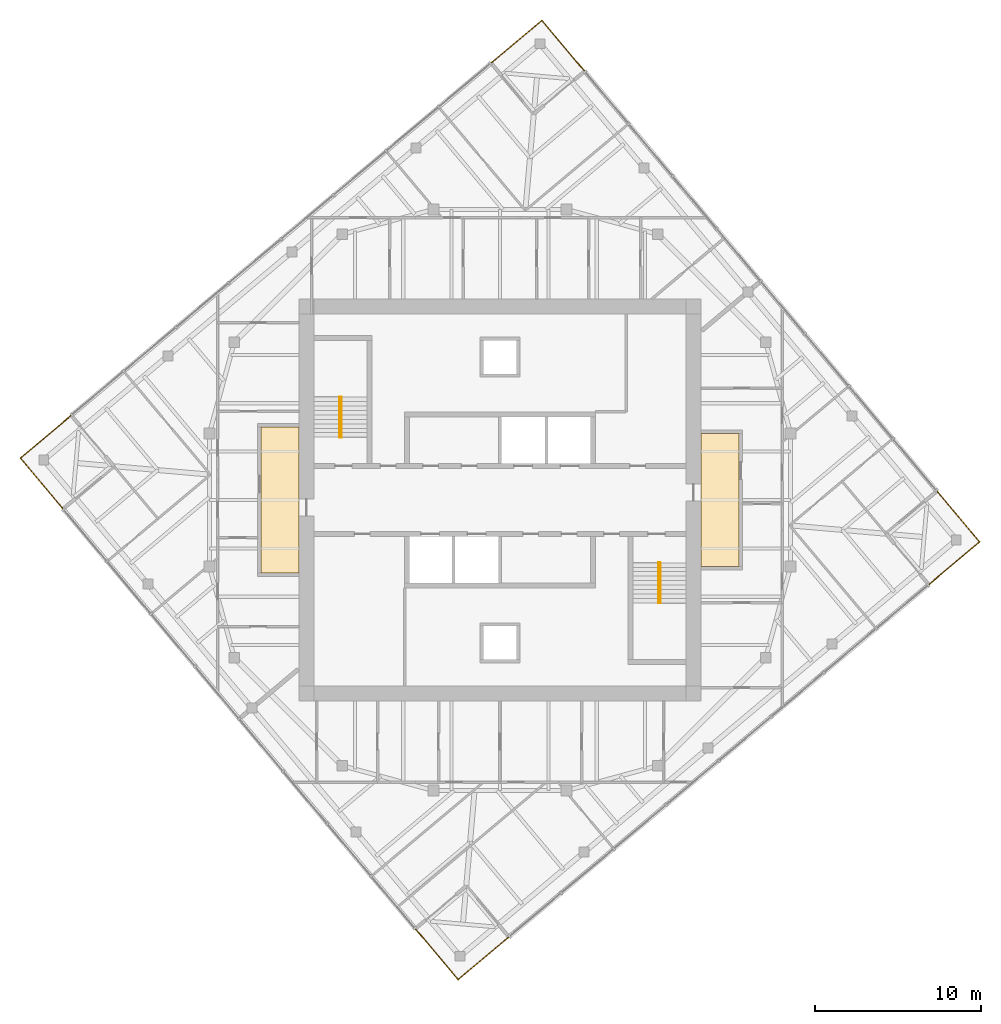
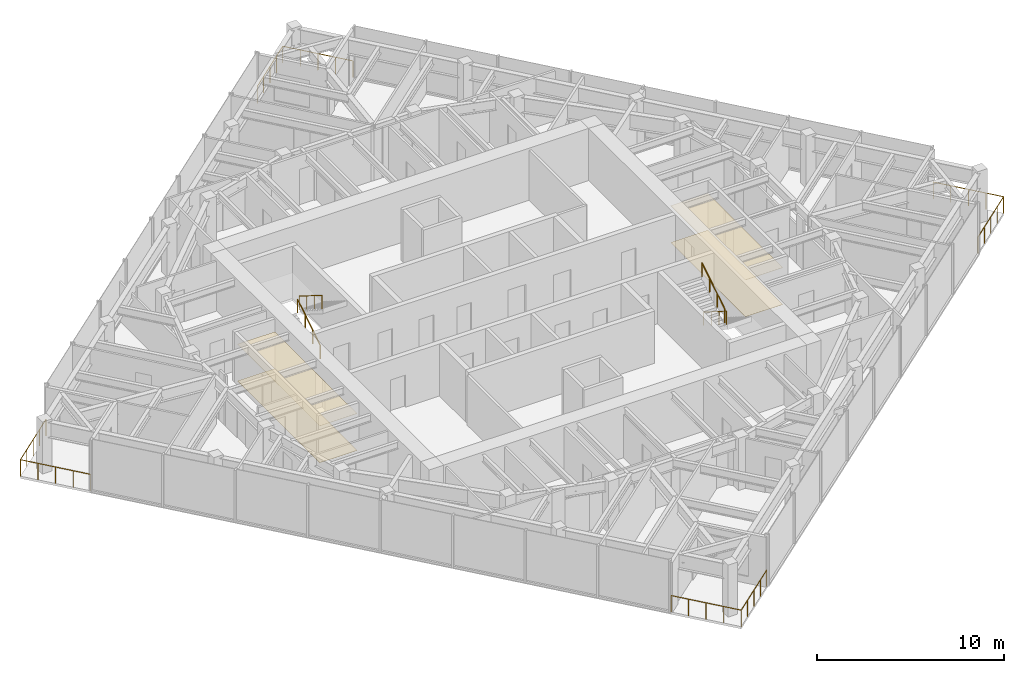
# One storey, part 11 of 11: 8 railings, 4 coverings, 2 elements without a shape of their own.
"""IFC4 building model written with IfcOpenShell, lengths in metres."""

from ifc_helpers import new_model, si_unit, direction, frame, origin, origin_2d, place, context, subcontext, project, spatial, polyline, circle, outline, extrude, material, layer, layer_set, type_object, element, aggregate, save


model = new_model("IFC4")

# Units and contexts
model_context = context("Model", 3, precision=1e-05, world=origin(), true_north=direction((0.0, 1.0)))
body_context = subcontext(model_context, "Body", "Model", "MODEL_VIEW")
ifc_project = project(units=[si_unit("LENGTHUNIT", "METRE"), si_unit("AREAUNIT", "SQUARE_METRE"), si_unit("VOLUMEUNIT", "CUBIC_METRE"), si_unit("PLANEANGLEUNIT", "RADIAN"), si_unit("MASSUNIT", "GRAM", prefix="KILO")], contexts=[model_context])

# Site, building, storey
site_placement = place(None, origin())
site = spatial("IfcSite", under=ifc_project, at=site_placement, CompositionType="ELEMENT")
building_placement = place(site_placement, origin())
building = spatial("IfcBuilding", under=site, at=building_placement, Name="Torsade Residences", CompositionType="ELEMENT")
storey_placement = place(building_placement, frame((0.0, 0.0, 272.60009765625)))
storey = spatial("IfcBuildingStorey", under=building, at=storey_placement, Name="L75", CompositionType="ELEMENT", Elevation=272.60009765625)

# Coverings
ifc_material_1 = material(Name="Nylon carpet tile on underlay", Category="textile")
ifc_layer_1 = layer(ifc_material_1, 0.010009765625)
ifc_layer_set_1 = layer_set([ifc_layer_1], Name="Nylon carpet tile on underlay")
covering_type_1 = type_object("IfcCoveringType", Name="CORRIDOR CARPET TILE 10", PredefinedType="FLOORING", material=ifc_layer_set_1)
covering_1_placement = place(storey_placement, origin())
element("IfcCovering", 1, at=covering_1_placement, inside=storey, type_object=covering_type_1, Name="Corridor carpet L75", PredefinedType="FLOORING", context=body_context, shape_type="SweptSolid", body=[
    extrude(outline(polyline([(54.39990234375, 26.0), (54.39990234375, 34.0), (52.10009765625, 34.0), (52.10009765625, 26.0), (54.39990234375, 26.0)])), origin(), (0.0, 0.0, 1.0), 0.010009765625),
])
covering_2_placement = place(storey_placement, origin())
element("IfcCovering", 2, at=covering_2_placement, inside=storey, type_object=covering_type_1, Name="Corridor carpet west L75", PredefinedType="FLOORING", context=body_context, shape_type="SweptSolid", body=[
    extrude(outline(polyline([(27.89990234375, 25.60009765625), (27.89990234375, 34.39990234375), (25.60009765625, 34.39990234375), (25.60009765625, 25.60009765625), (27.89990234375, 25.60009765625)])), origin(), (0.0, 0.0, 1.0), 0.010009765625),
])
ifc_material_2 = material(Name="Plasterboard on suspended steel grid", Category="steel")
ifc_layer_2 = layer(ifc_material_2, 0.012939453125)
ifc_layer_set_2 = layer_set([ifc_layer_2], Name="Plasterboard on suspended steel grid")
covering_type_2 = type_object("IfcCoveringType", Name="CORRIDOR SUSPENDED CEILING 13", PredefinedType="CEILING", material=ifc_layer_set_2)
covering_3_placement = place(storey_placement, frame((0.0, 0.0, 2.39990234375)))
element("IfcCovering", 3, at=covering_3_placement, inside=storey, type_object=covering_type_2, Name="Corridor ceiling L75", PredefinedType="CEILING", context=body_context, shape_type="SweptSolid", body=[
    extrude(outline(polyline([(54.39990234375, 26.0), (54.39990234375, 34.0), (52.10009765625, 34.0), (52.10009765625, 26.0), (54.39990234375, 26.0)])), origin(), (0.0, 0.0, 1.0), 0.012939453125),
])
covering_4_placement = place(storey_placement, frame((0.0, 0.0, 2.39990234375)))
element("IfcCovering", 4, at=covering_4_placement, inside=storey, type_object=covering_type_2, Name="Corridor ceiling west L75", PredefinedType="CEILING", context=body_context, shape_type="SweptSolid", body=[
    extrude(outline(polyline([(27.89990234375, 25.60009765625), (27.89990234375, 34.39990234375), (25.60009765625, 34.39990234375), (25.60009765625, 25.60009765625), (27.89990234375, 25.60009765625)])), origin(), (0.0, 0.0, 1.0), 0.012939453125),
])

# Stair, railings
ifc_material_3 = material(Name="Precast concrete 40 MPa", Category="concrete")
stair_type = type_object("IfcStairType", Name="HALF-TURN FIRE STAIR 1500x3400", PredefinedType="HALF_TURN_STAIR", material=ifc_material_3)
stair_1_placement = place(storey_placement, origin())
stair_1 = element("IfcStair", 5, at=stair_1_placement, inside=storey, type_object=stair_type, Name="Stair ST1 L75", PredefinedType="HALF_TURN_STAIR")
ifc_material_4 = material(Name="Steel handrail", Category="steel")
railing_type_1 = type_object("IfcRailingType", Name="STAIR HANDRAIL 900", PredefinedType="HANDRAIL", material=ifc_material_4)
railing_1_placement = place(storey_placement, frame((30.35009765625, 33.780029296875, 0.169921875)))
railing_1 = element("IfcRailing", 6, at=railing_1_placement, type_object=railing_type_1, Name="Handrail ST1 flight 1 L75", PredefinedType="HANDRAIL", context=body_context, shape_type="SweptSolid", body=[
    extrude(circle(Radius=0.02392578125, at=origin_2d()), frame((0.0, 0.0, 0.8759765625), z_axis=(0.0, 0.846221481393, 0.532831309544), x_axis=(-1.0, 0.0, 0.0)), (0.0, 0.0, 1.0), 2.87158203125),
    extrude(circle(Radius=0.02099609375, at=origin_2d()), origin(), (0.0, 0.0, 1.0), 0.851806640625),
    extrude(circle(Radius=0.02099609375, at=origin_2d()), frame((0.0, 0.81005859375, 0.510009765625)), (0.0, 0.0, 1.0), 0.851806640625),
    extrude(circle(Radius=0.02099609375, at=origin_2d()), frame((0.0, 1.619873046875, 1.02001953125)), (0.0, 0.0, 1.0), 0.851806640625),
    extrude(circle(Radius=0.02099609375, at=origin_2d()), frame((0.0, 2.429931640625, 1.530029296875)), (0.0, 0.0, 1.0), 0.851806640625),
])
railing_2_placement = place(storey_placement, frame((30.449951171875, 36.2099609375, 1.869873046875)))
railing_2 = element("IfcRailing", 7, at=railing_2_placement, type_object=railing_type_1, Name="Handrail ST1 flight 2 L75", PredefinedType="HANDRAIL", context=body_context, shape_type="SweptSolid", body=[
    extrude(circle(Radius=0.02392578125, at=origin_2d()), frame((0.0, 0.0, 0.8759765625), z_axis=(0.0, -0.846221481393, 0.532831309544), x_axis=(1.0, 0.0, 0.0)), (0.0, 0.0, 1.0), 2.87158203125),
    extrude(circle(Radius=0.02099609375, at=origin_2d()), origin(), (0.0, 0.0, 1.0), 0.851806640625),
    extrude(circle(Radius=0.02099609375, at=origin_2d()), frame((0.0, -0.81005859375, 0.510009765625)), (0.0, 0.0, 1.0), 0.851806640625),
    extrude(circle(Radius=0.02099609375, at=origin_2d()), frame((0.0, -1.619873046875, 1.02001953125)), (0.0, 0.0, 1.0), 0.851806640625),
    extrude(circle(Radius=0.02099609375, at=origin_2d()), frame((0.0, -2.429931640625, 1.530029296875)), (0.0, 0.0, 1.0), 0.851806640625),
])
aggregate(stair_1, [railing_1, railing_2])

stair_2_placement = place(storey_placement, origin())
stair_2 = element("IfcStair", 8, at=stair_2_placement, inside=storey, type_object=stair_type, Name="Stair ST2 L75", PredefinedType="HALF_TURN_STAIR")
railing_3_placement = place(storey_placement, frame((49.64990234375, 26.219970703125, 0.169921875)))
railing_3 = element("IfcRailing", 9, at=railing_3_placement, type_object=railing_type_1, Name="Handrail ST2 flight 1 L75", PredefinedType="HANDRAIL", context=body_context, shape_type="SweptSolid", body=[
    extrude(circle(Radius=0.02392578125, at=origin_2d()), frame((0.0, 0.0, 0.8759765625), z_axis=(0.0, -0.846221481393, 0.532831309544), x_axis=(1.0, 0.0, 0.0)), (0.0, 0.0, 1.0), 2.87158203125),
    extrude(circle(Radius=0.02099609375, at=origin_2d()), origin(), (0.0, 0.0, 1.0), 0.851806640625),
    extrude(circle(Radius=0.02099609375, at=origin_2d()), frame((0.0, -0.81005859375, 0.510009765625)), (0.0, 0.0, 1.0), 0.851806640625),
    extrude(circle(Radius=0.02099609375, at=origin_2d()), frame((0.0, -1.619873046875, 1.02001953125)), (0.0, 0.0, 1.0), 0.851806640625),
    extrude(circle(Radius=0.02099609375, at=origin_2d()), frame((0.0, -2.429931640625, 1.530029296875)), (0.0, 0.0, 1.0), 0.851806640625),
])
railing_4_placement = place(storey_placement, frame((49.550048828125, 23.7900390625, 1.869873046875)))
railing_4 = element("IfcRailing", 10, at=railing_4_placement, type_object=railing_type_1, Name="Handrail ST2 flight 2 L75", PredefinedType="HANDRAIL", context=body_context, shape_type="SweptSolid", body=[
    extrude(circle(Radius=0.02392578125, at=origin_2d()), frame((0.0, 0.0, 0.8759765625), z_axis=(0.0, 0.846221481393, 0.532831309544), x_axis=(-1.0, 0.0, 0.0)), (0.0, 0.0, 1.0), 2.87158203125),
    extrude(circle(Radius=0.02099609375, at=origin_2d()), origin(), (0.0, 0.0, 1.0), 0.851806640625),
    extrude(circle(Radius=0.02099609375, at=origin_2d()), frame((0.0, 0.81005859375, 0.510009765625)), (0.0, 0.0, 1.0), 0.851806640625),
    extrude(circle(Radius=0.02099609375, at=origin_2d()), frame((0.0, 1.619873046875, 1.02001953125)), (0.0, 0.0, 1.0), 0.851806640625),
    extrude(circle(Radius=0.02099609375, at=origin_2d()), frame((0.0, 2.429931640625, 1.530029296875)), (0.0, 0.0, 1.0), 0.851806640625),
])
aggregate(stair_2, [railing_3, railing_4])

# Railings
ifc_material_5 = material(Name="Laminated glass balustrade", Category="glass")
railing_type_2 = type_object("IfcRailingType", Name="TERRACE GLASS BALUSTRADE 1100", PredefinedType="BALUSTRADE", material=ifc_material_5)
railing_5_placement = place(storey_placement, frame((65.81689453125, 24.902099609375, 0.0)))
element("IfcRailing", 11, at=railing_5_placement, inside=storey, type_object=railing_type_2, Name="Terrace balustrade SE L75", PredefinedType="BALUSTRADE", context=body_context, shape_type="SweptSolid", body=[
    extrude(circle(Radius=0.02392578125, at=origin_2d()), frame((0.0, 0.0, 1.076171875), z_axis=(0.766060656284, 0.642768287094, 0.0), x_axis=(-0.642768287094, 0.766060656284, 0.0)), (0.0, 0.0, 1.0), 4.0),
    extrude(circle(Radius=0.02392578125, at=origin_2d()), frame((3.064208984375, 2.571044921875, 1.076171875), z_axis=(-0.642804103796, 0.766030602615, 0.0), x_axis=(-0.766030602615, -0.642804103796, 0.0)), (0.0, 0.0, 1.0), 4.0),
    extrude(circle(Radius=0.02099609375, at=origin_2d()), origin(), (0.0, 0.0, 1.0), 1.052001953125),
    extrude(circle(Radius=0.02099609375, at=origin_2d()), frame((0.76611328125, 0.642822265625, 0.0)), (0.0, 0.0, 1.0), 1.052001953125),
    extrude(circle(Radius=0.02099609375, at=origin_2d()), frame((1.5322265625, 1.28564453125, 0.0)), (0.0, 0.0, 1.0), 1.052001953125),
    extrude(circle(Radius=0.02099609375, at=origin_2d()), frame((2.298095703125, 1.92822265625, 0.0)), (0.0, 0.0, 1.0), 1.052001953125),
    extrude(circle(Radius=0.02099609375, at=origin_2d()), frame((3.064208984375, 2.571044921875, 0.0)), (0.0, 0.0, 1.0), 1.052001953125),
    extrude(circle(Radius=0.02099609375, at=origin_2d()), frame((2.42138671875, 3.337158203125, 0.0)), (0.0, 0.0, 1.0), 1.052001953125),
    extrude(circle(Radius=0.02099609375, at=origin_2d()), frame((1.778564453125, 4.10302734375, 0.0)), (0.0, 0.0, 1.0), 1.052001953125),
    extrude(circle(Radius=0.02099609375, at=origin_2d()), frame((1.1357421875, 4.869140625, 0.0)), (0.0, 0.0, 1.0), 1.052001953125),
    extrude(circle(Radius=0.02099609375, at=origin_2d()), frame((0.492919921875, 5.63525390625, 0.0)), (0.0, 0.0, 1.0), 1.052001953125),
])
railing_6_placement = place(storey_placement, frame((45.097900390625, 55.81689453125, 0.0)))
element("IfcRailing", 12, at=railing_6_placement, inside=storey, type_object=railing_type_2, Name="Terrace balustrade NE L75", PredefinedType="BALUSTRADE", context=body_context, shape_type="SweptSolid", body=[
    extrude(circle(Radius=0.02392578125, at=origin_2d()), frame((0.0, 0.0, 1.076171875), z_axis=(-0.642768287094, 0.766060656284, 0.0), x_axis=(-0.766060656284, -0.642768287094, 0.0)), (0.0, 0.0, 1.0), 4.0),
    extrude(circle(Radius=0.02392578125, at=origin_2d()), frame((-2.571044921875, 3.064208984375, 1.076171875), z_axis=(-0.766030602615, -0.642804103796, 0.0), x_axis=(0.642804103796, -0.766030602615, 0.0)), (0.0, 0.0, 1.0), 4.0),
    extrude(circle(Radius=0.02099609375, at=origin_2d()), origin(), (0.0, 0.0, 1.0), 1.052001953125),
    extrude(circle(Radius=0.02099609375, at=origin_2d()), frame((-0.642822265625, 0.76611328125, 0.0)), (0.0, 0.0, 1.0), 1.052001953125),
    extrude(circle(Radius=0.02099609375, at=origin_2d()), frame((-1.28564453125, 1.5322265625, 0.0)), (0.0, 0.0, 1.0), 1.052001953125),
    extrude(circle(Radius=0.02099609375, at=origin_2d()), frame((-1.92822265625, 2.298095703125, 0.0)), (0.0, 0.0, 1.0), 1.052001953125),
    extrude(circle(Radius=0.02099609375, at=origin_2d()), frame((-2.571044921875, 3.064208984375, 0.0)), (0.0, 0.0, 1.0), 1.052001953125),
    extrude(circle(Radius=0.02099609375, at=origin_2d()), frame((-3.337158203125, 2.42138671875, 0.0)), (0.0, 0.0, 1.0), 1.052001953125),
    extrude(circle(Radius=0.02099609375, at=origin_2d()), frame((-4.10302734375, 1.778564453125, 0.0)), (0.0, 0.0, 1.0), 1.052001953125),
    extrude(circle(Radius=0.02099609375, at=origin_2d()), frame((-4.869140625, 1.1357421875, 0.0)), (0.0, 0.0, 1.0), 1.052001953125),
    extrude(circle(Radius=0.02099609375, at=origin_2d()), frame((-5.63525390625, 0.492919921875, 0.0)), (0.0, 0.0, 1.0), 1.052001953125),
])
railing_7_placement = place(storey_placement, frame((14.18310546875, 35.097900390625, 0.0)))
element("IfcRailing", 13, at=railing_7_placement, inside=storey, type_object=railing_type_2, Name="Terrace balustrade NW L75", PredefinedType="BALUSTRADE", context=body_context, shape_type="SweptSolid", body=[
    extrude(circle(Radius=0.02392578125, at=origin_2d()), frame((0.0, 0.0, 1.076171875), z_axis=(-0.766060656284, -0.642768287094, 0.0), x_axis=(0.642768287094, -0.766060656284, 0.0)), (0.0, 0.0, 1.0), 4.0),
    extrude(circle(Radius=0.02392578125, at=origin_2d()), frame((-3.064208984375, -2.571044921875, 1.076171875), z_axis=(0.642804103796, -0.766030602615, 0.0), x_axis=(0.766030602615, 0.642804103796, 0.0)), (0.0, 0.0, 1.0), 4.0),
    extrude(circle(Radius=0.02099609375, at=origin_2d()), origin(), (0.0, 0.0, 1.0), 1.052001953125),
    extrude(circle(Radius=0.02099609375, at=origin_2d()), frame((-0.76611328125, -0.642822265625, 0.0)), (0.0, 0.0, 1.0), 1.052001953125),
    extrude(circle(Radius=0.02099609375, at=origin_2d()), frame((-1.5322265625, -1.28564453125, 0.0)), (0.0, 0.0, 1.0), 1.052001953125),
    extrude(circle(Radius=0.02099609375, at=origin_2d()), frame((-2.298095703125, -1.92822265625, 0.0)), (0.0, 0.0, 1.0), 1.052001953125),
    extrude(circle(Radius=0.02099609375, at=origin_2d()), frame((-3.064208984375, -2.571044921875, 0.0)), (0.0, 0.0, 1.0), 1.052001953125),
    extrude(circle(Radius=0.02099609375, at=origin_2d()), frame((-2.42138671875, -3.337158203125, 0.0)), (0.0, 0.0, 1.0), 1.052001953125),
    extrude(circle(Radius=0.02099609375, at=origin_2d()), frame((-1.778564453125, -4.10302734375, 0.0)), (0.0, 0.0, 1.0), 1.052001953125),
    extrude(circle(Radius=0.02099609375, at=origin_2d()), frame((-1.1357421875, -4.869140625, 0.0)), (0.0, 0.0, 1.0), 1.052001953125),
    extrude(circle(Radius=0.02099609375, at=origin_2d()), frame((-0.492919921875, -5.63525390625, 0.0)), (0.0, 0.0, 1.0), 1.052001953125),
])
railing_8_placement = place(storey_placement, frame((34.902099609375, 4.18310546875, 0.0)))
element("IfcRailing", 14, at=railing_8_placement, inside=storey, type_object=railing_type_2, Name="Terrace balustrade SW L75", PredefinedType="BALUSTRADE", context=body_context, shape_type="SweptSolid", body=[
    extrude(circle(Radius=0.02392578125, at=origin_2d()), frame((0.0, 0.0, 1.076171875), z_axis=(0.642768287094, -0.766060656284, 0.0), x_axis=(0.766060656284, 0.642768287094, 0.0)), (0.0, 0.0, 1.0), 4.0),
    extrude(circle(Radius=0.02392578125, at=origin_2d()), frame((2.571044921875, -3.064208984375, 1.076171875), z_axis=(0.766030602615, 0.642804103796, 0.0), x_axis=(-0.642804103796, 0.766030602615, 0.0)), (0.0, 0.0, 1.0), 4.0),
    extrude(circle(Radius=0.02099609375, at=origin_2d()), origin(), (0.0, 0.0, 1.0), 1.052001953125),
    extrude(circle(Radius=0.02099609375, at=origin_2d()), frame((0.642822265625, -0.76611328125, 0.0)), (0.0, 0.0, 1.0), 1.052001953125),
    extrude(circle(Radius=0.02099609375, at=origin_2d()), frame((1.28564453125, -1.5322265625, 0.0)), (0.0, 0.0, 1.0), 1.052001953125),
    extrude(circle(Radius=0.02099609375, at=origin_2d()), frame((1.92822265625, -2.298095703125, 0.0)), (0.0, 0.0, 1.0), 1.052001953125),
    extrude(circle(Radius=0.02099609375, at=origin_2d()), frame((2.571044921875, -3.064208984375, 0.0)), (0.0, 0.0, 1.0), 1.052001953125),
    extrude(circle(Radius=0.02099609375, at=origin_2d()), frame((3.337158203125, -2.42138671875, 0.0)), (0.0, 0.0, 1.0), 1.052001953125),
    extrude(circle(Radius=0.02099609375, at=origin_2d()), frame((4.10302734375, -1.778564453125, 0.0)), (0.0, 0.0, 1.0), 1.052001953125),
    extrude(circle(Radius=0.02099609375, at=origin_2d()), frame((4.869140625, -1.1357421875, 0.0)), (0.0, 0.0, 1.0), 1.052001953125),
    extrude(circle(Radius=0.02099609375, at=origin_2d()), frame((5.63525390625, -0.492919921875, 0.0)), (0.0, 0.0, 1.0), 1.052001953125),
])

save(model, "model.ifc")
